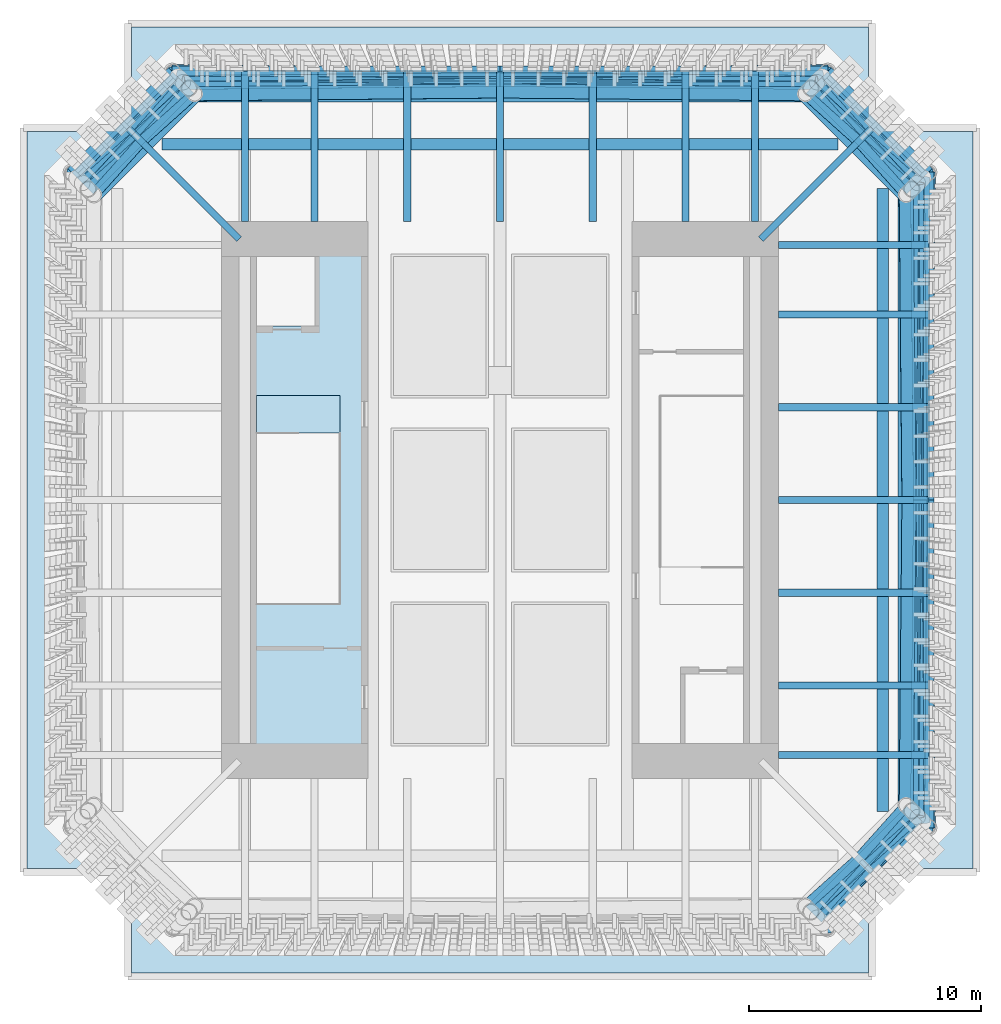
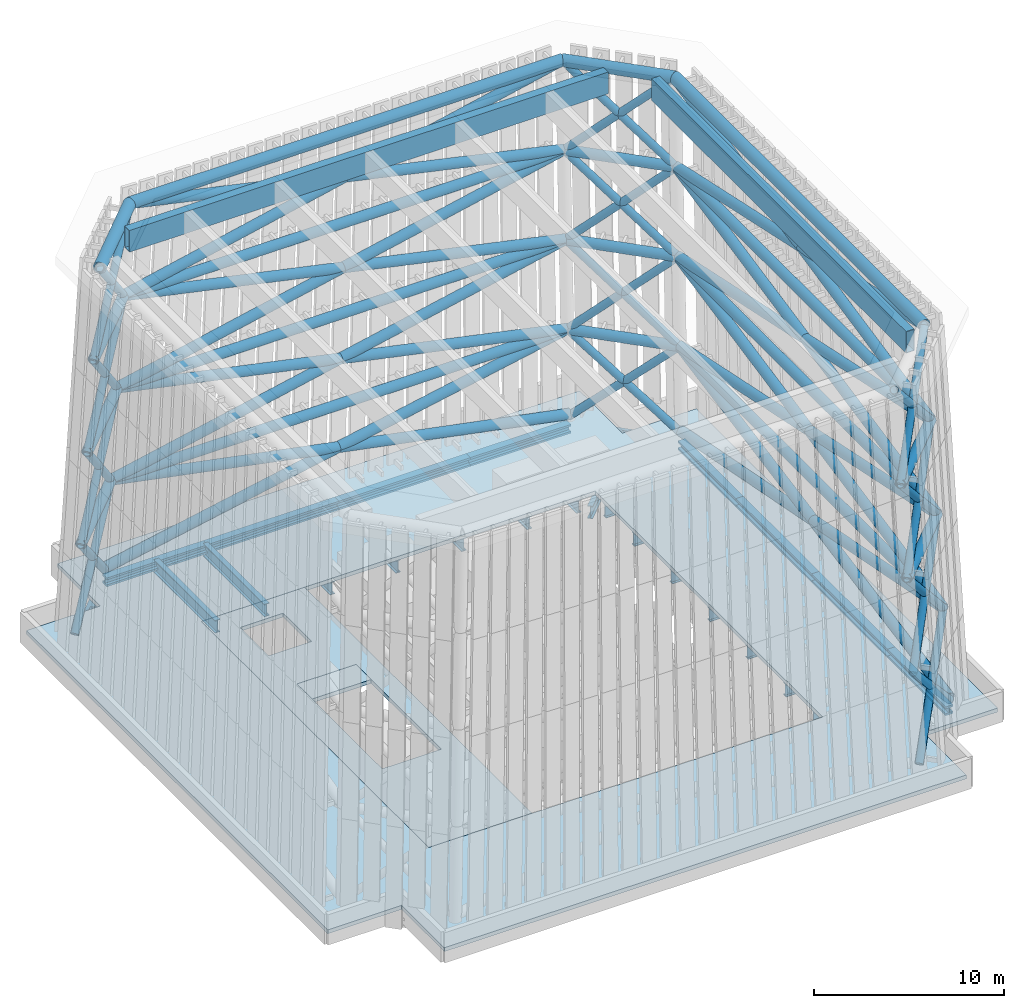
# One storey, part 2 of 13: 68 members, 18 beams, 3 slabs.
"""IFC4 building model written with IfcOpenShell, lengths in metres."""

from ifc_helpers import new_model, si_unit, direction, frame, origin, origin_2d, place, context, subcontext, project, spatial, polyline, hollow_rectangle, hollow_circle, i_section, outline, extrude, material, layer, layer_set, material_profile, profile_set, type_object, element, save


model = new_model("IFC4")

# Units and contexts
model_context = context("Model", 3, precision=1e-05, world=origin(), true_north=direction((0.0, 1.0)))
body_context = subcontext(model_context, "Body", "Model", "MODEL_VIEW")
ifc_project = project(units=[si_unit("LENGTHUNIT", "METRE"), si_unit("AREAUNIT", "SQUARE_METRE"), si_unit("VOLUMEUNIT", "CUBIC_METRE"), si_unit("PLANEANGLEUNIT", "RADIAN"), si_unit("MASSUNIT", "GRAM", prefix="KILO")], contexts=[model_context])

# Site, building, storey
site_placement = place(None, origin())
site = spatial("IfcSite", under=ifc_project, at=site_placement, CompositionType="ELEMENT")
building_placement = place(site_placement, origin())
building = spatial("IfcBuilding", under=site, at=building_placement, Name="Peilmerk Tower", CompositionType="ELEMENT")
storey_placement = place(building_placement, frame((0.0, 0.0, 307.800048828125)))
storey = spatial("IfcBuildingStorey", under=building, at=storey_placement, Name="RF", CompositionType="ELEMENT", Elevation=307.800048828125)

# Beams
ifc_material_1 = material(Name="Steel S460", Category="steel")
ifc_material_profile_1 = material_profile(ifc_material_1, i_section(OverallWidth=0.4541015625, OverallDepth=0.569091796875, WebThickness=0.077880859375, FlangeThickness=0.125, at=origin_2d()), Name="HD 400x1086")
ifc_profile_set_1 = profile_set([ifc_material_profile_1], Name="Steel S460")
beam_type_1 = type_object("IfcBeamType", Name="B17 HD 400x1086 edge beam", PredefinedType="SPANDREL", material=ifc_profile_set_1)
for number, where, z_axis, x_axis, name in (
    (1, (14.135498046875, 18.485595703125, -0.53466796875), (0.707106781187, -0.707106781187, 0.0), (0.707106781187, 0.707106781187, 0.0), "Notch beam RF"),
    (2, (-18.485595703125, 14.135498046875, -0.53466796875), (0.707106781187, 0.707106781187, 0.0), (-0.707106781187, 0.707106781187, 0.0), "Notch beam RF"),
):
    element("IfcBeam", number, at=place(storey_placement, frame(where, z_axis=z_axis, x_axis=x_axis)), inside=storey, type_object=beam_type_1, Name=name, PredefinedType="SPANDREL", context=body_context, shape_type="SweptSolid", body=[
        extrude(i_section(OverallWidth=0.4541015625, OverallDepth=0.569091796875, WebThickness=0.077880859375, FlangeThickness=0.125, at=origin_2d()), origin(), (0.0, 0.0, 1.0), 6.15185546875),
    ])
ifc_material_profile_2 = material_profile(ifc_material_1, i_section(OverallWidth=0.302978515625, OverallDepth=0.81396484375, WebThickness=0.02099609375, FlangeThickness=0.0400390625, at=origin_2d()), Name="HEM 800")
ifc_profile_set_2 = profile_set([ifc_material_profile_2], Name="Steel S460")
beam_type_2 = type_object("IfcBeamType", Name="B26 HEM 800 floor beam", PredefinedType="BEAM", material=ifc_profile_set_2)
for number, where, z_axis, x_axis, name in (
    (3, (11.0, 12.0, -0.656982421875), (0.0, 1.0, 0.0), (-1.0, 0.0, 0.0), "Floor beam RF"),
    (4, (8.0, 12.0, -0.656982421875), (0.0, 1.0, 0.0), (-1.0, 0.0, 0.0), "Floor beam RF"),
    (5, (4.0, 12.0, -0.656982421875), (0.0, 1.0, 0.0), (-1.0, 0.0, 0.0), "Floor beam RF"),
    (6, (0.0, 12.0, -0.656982421875), (0.0, 1.0, 0.0), (-1.0, 0.0, 0.0), "Floor beam RF"),
    (7, (-4.0, 12.0, -0.656982421875), (0.0, 1.0, 0.0), (-1.0, 0.0, 0.0), "Floor beam RF"),
    (8, (-8.0, 12.0, -0.656982421875), (0.0, 1.0, 0.0), (-1.0, 0.0, 0.0), "Floor beam RF"),
    (9, (-11.0, 12.0, -0.656982421875), (0.0, 1.0, 0.0), (-1.0, 0.0, 0.0), "Floor beam RF"),
    (10, (12.0, -11.0, -0.656982421875), (1.0, 0.0, 0.0), (0.0, 1.0, 0.0), "Floor beam RF"),
    (11, (12.0, -8.0, -0.656982421875), (1.0, 0.0, 0.0), (0.0, 1.0, 0.0), "Floor beam RF"),
    (12, (12.0, -4.0, -0.656982421875), (1.0, 0.0, 0.0), (0.0, 1.0, 0.0), "Floor beam RF"),
    (13, (12.0, 0.0, -0.656982421875), (1.0, 0.0, 0.0), (0.0, 1.0, 0.0), "Floor beam RF"),
    (14, (12.0, 4.0, -0.656982421875), (1.0, 0.0, 0.0), (0.0, 1.0, 0.0), "Floor beam RF"),
    (15, (12.0, 8.0, -0.656982421875), (1.0, 0.0, 0.0), (0.0, 1.0, 0.0), "Floor beam RF"),
    (16, (12.0, 11.0, -0.656982421875), (1.0, 0.0, 0.0), (0.0, 1.0, 0.0), "Floor beam RF"),
):
    element("IfcBeam", number, at=place(storey_placement, frame(where, z_axis=z_axis, x_axis=x_axis)), inside=storey, type_object=beam_type_2, Name=name, PredefinedType="BEAM", context=body_context, shape_type="SweptSolid", body=[
        extrude(i_section(OverallWidth=0.302978515625, OverallDepth=0.81396484375, WebThickness=0.02099609375, FlangeThickness=0.0400390625, at=origin_2d()), origin(), (0.0, 0.0, 1.0), 6.485595703125),
    ])
for number, where, z_axis, x_axis, name in (
    (17, (11.25, 11.25, -0.656982421875), (0.707106781187, 0.707106781187, 0.0), (-0.707106781187, 0.707106781187, 0.0), "Corner girder RF"),
    (18, (-11.25, 11.25, -0.656982421875), (-0.707106781187, 0.707106781187, 0.0), (-0.707106781187, -0.707106781187, 0.0), "Corner girder RF"),
):
    element("IfcBeam", number, at=place(storey_placement, frame(where, z_axis=z_axis, x_axis=x_axis)), inside=storey, type_object=beam_type_2, Name=name, PredefinedType="BEAM", context=body_context, shape_type="SweptSolid", body=[
        extrude(i_section(OverallWidth=0.302978515625, OverallDepth=0.81396484375, WebThickness=0.02099609375, FlangeThickness=0.0400390625, at=origin_2d()), origin(), (0.0, 0.0, 1.0), 7.15673828125),
    ])

# Members
ifc_material_profile_3 = material_profile(ifc_material_1, i_section(OverallWidth=0.4541015625, OverallDepth=0.569091796875, WebThickness=0.077880859375, FlangeThickness=0.125, at=origin_2d()), Name="HD 400x1086")
ifc_profile_set_3 = profile_set([ifc_material_profile_3], Name="Steel S460")
member_type_1 = type_object("IfcMemberType", Name="M1 HD 400x1086 belt truss chord", PredefinedType="CHORD", material=ifc_profile_set_3)
member_1_placement = place(storey_placement, frame((14.135498046875, 18.485595703125, -0.53466796875), z_axis=(-1.0, 0.0, 0.0), x_axis=(0.0, -1.0, 0.0)))
element("IfcMember", 19, at=member_1_placement, inside=storey, type_object=member_type_1, Name="Belt truss chord RF", PredefinedType="CHORD", context=body_context, shape_type="SweptSolid", body=[
    extrude(i_section(OverallWidth=0.4541015625, OverallDepth=0.569091796875, WebThickness=0.077880859375, FlangeThickness=0.125, at=origin_2d()), origin(), (0.0, 0.0, 1.0), 6.135498046875),
])
for number, where, z_axis, x_axis, name in (
    (20, (8.0, 18.485595703125, -0.53466796875), (-1.0, 0.0, 0.0), (0.0, -1.0, 0.0), "Belt truss chord RF"),
    (21, (0.0, 18.485595703125, -0.53466796875), (-1.0, 0.0, 0.0), (0.0, -1.0, 0.0), "Belt truss chord RF"),
):
    element("IfcMember", number, at=place(storey_placement, frame(where, z_axis=z_axis, x_axis=x_axis)), inside=storey, type_object=member_type_1, Name=name, PredefinedType="CHORD", context=body_context, shape_type="SweptSolid", body=[
        extrude(i_section(OverallWidth=0.4541015625, OverallDepth=0.569091796875, WebThickness=0.077880859375, FlangeThickness=0.125, at=origin_2d()), origin(), (0.0, 0.0, 1.0), 8.0),
    ])
for number, where, z_axis, x_axis, name in (
    (22, (-8.0, 18.485595703125, -0.53466796875), (-1.0, 0.0, 0.0), (0.0, -1.0, 0.0), "Belt truss chord RF"),
    (23, (18.485595703125, -14.135498046875, -0.53466796875), (0.0, 1.0, 0.0), (-1.0, 0.0, 0.0), "Belt truss chord RF"),
):
    element("IfcMember", number, at=place(storey_placement, frame(where, z_axis=z_axis, x_axis=x_axis)), inside=storey, type_object=member_type_1, Name=name, PredefinedType="CHORD", context=body_context, shape_type="SweptSolid", body=[
        extrude(i_section(OverallWidth=0.4541015625, OverallDepth=0.569091796875, WebThickness=0.077880859375, FlangeThickness=0.125, at=origin_2d()), origin(), (0.0, 0.0, 1.0), 6.135498046875),
    ])
for number, where, z_axis, x_axis, name in (
    (24, (18.485595703125, -8.0, -0.53466796875), (0.0, 1.0, 0.0), (-1.0, 0.0, 0.0), "Belt truss chord RF"),
    (25, (18.485595703125, 0.0, -0.53466796875), (0.0, 1.0, 0.0), (-1.0, 0.0, 0.0), "Belt truss chord RF"),
):
    element("IfcMember", number, at=place(storey_placement, frame(where, z_axis=z_axis, x_axis=x_axis)), inside=storey, type_object=member_type_1, Name=name, PredefinedType="CHORD", context=body_context, shape_type="SweptSolid", body=[
        extrude(i_section(OverallWidth=0.4541015625, OverallDepth=0.569091796875, WebThickness=0.077880859375, FlangeThickness=0.125, at=origin_2d()), origin(), (0.0, 0.0, 1.0), 8.0),
    ])
member_2_placement = place(storey_placement, frame((18.485595703125, 8.0, -0.53466796875), z_axis=(0.0, 1.0, 0.0), x_axis=(-1.0, 0.0, 0.0)))
element("IfcMember", 26, at=member_2_placement, inside=storey, type_object=member_type_1, Name="Belt truss chord RF", PredefinedType="CHORD", context=body_context, shape_type="SweptSolid", body=[
    extrude(i_section(OverallWidth=0.4541015625, OverallDepth=0.569091796875, WebThickness=0.077880859375, FlangeThickness=0.125, at=origin_2d()), origin(), (0.0, 0.0, 1.0), 6.135498046875),
])
ifc_material_2 = material(Name="Steel S355", Category="steel")
ifc_material_profile_4 = material_profile(ifc_material_2, hollow_circle(Radius=0.304931640625, WallThickness=0.030029296875, at=origin_2d()), Name="CHS 610x30")
ifc_profile_set_4 = profile_set([ifc_material_profile_4], Name="Steel S355")
member_type_2 = type_object("IfcMemberType", Name="M5 CHS 610x30 crown frame ring", PredefinedType="MEMBER", material=ifc_profile_set_4)
member_3_placement = place(storey_placement, frame((13.8935546875, 18.24365234375, 6.0), z_axis=(0.707106781187, -0.707106781187, 0.0), x_axis=(0.707106781187, 0.707106781187, 0.0)))
element("IfcMember", 27, at=member_3_placement, inside=storey, type_object=member_type_2, Name="Crown frame ring 1", PredefinedType="MEMBER", context=body_context, shape_type="SweptSolid", body=[
    extrude(hollow_circle(Radius=0.304931640625, WallThickness=0.030029296875, at=origin_2d()), origin(), (0.0, 0.0, 1.0), 6.15185546875),
])
member_4_placement = place(storey_placement, frame((18.24365234375, 13.8935546875, 6.0), z_axis=(0.0, -1.0, 0.0), x_axis=(1.0, 0.0, 0.0)))
element("IfcMember", 28, at=member_4_placement, inside=storey, type_object=member_type_2, Name="Crown frame ring 1", PredefinedType="MEMBER", context=body_context, shape_type="SweptSolid", body=[
    extrude(hollow_circle(Radius=0.304931640625, WallThickness=0.030029296875, at=origin_2d()), origin(), (0.0, 0.0, 1.0), 27.787109375),
])
member_5_placement = place(storey_placement, frame((-18.24365234375, 13.8935546875, 6.0), z_axis=(0.707106781187, 0.707106781187, 0.0), x_axis=(-0.707106781187, 0.707106781187, 0.0)))
element("IfcMember", 29, at=member_5_placement, inside=storey, type_object=member_type_2, Name="Crown frame ring 1", PredefinedType="MEMBER", context=body_context, shape_type="SweptSolid", body=[
    extrude(hollow_circle(Radius=0.304931640625, WallThickness=0.030029296875, at=origin_2d()), origin(), (0.0, 0.0, 1.0), 6.15185546875),
])
member_6_placement = place(storey_placement, frame((-13.8935546875, 18.24365234375, 6.0), z_axis=(1.0, 0.0, 0.0), x_axis=(0.0, 1.0, 0.0)))
element("IfcMember", 30, at=member_6_placement, inside=storey, type_object=member_type_2, Name="Crown frame ring 1", PredefinedType="MEMBER", context=body_context, shape_type="SweptSolid", body=[
    extrude(hollow_circle(Radius=0.304931640625, WallThickness=0.030029296875, at=origin_2d()), origin(), (0.0, 0.0, 1.0), 27.787109375),
])
member_7_placement = place(storey_placement, frame((13.651611328125, 18.001708984375, 12.0), z_axis=(0.707106781187, -0.707106781187, 0.0), x_axis=(0.707106781187, 0.707106781187, 0.0)))
element("IfcMember", 31, at=member_7_placement, inside=storey, type_object=member_type_2, Name="Crown frame ring 2", PredefinedType="MEMBER", context=body_context, shape_type="SweptSolid", body=[
    extrude(hollow_circle(Radius=0.304931640625, WallThickness=0.030029296875, at=origin_2d()), origin(), (0.0, 0.0, 1.0), 6.15185546875),
])
member_8_placement = place(storey_placement, frame((18.001708984375, 13.651611328125, 12.0), z_axis=(0.0, -1.0, 0.0), x_axis=(1.0, 0.0, 0.0)))
element("IfcMember", 32, at=member_8_placement, inside=storey, type_object=member_type_2, Name="Crown frame ring 2", PredefinedType="MEMBER", context=body_context, shape_type="SweptSolid", body=[
    extrude(hollow_circle(Radius=0.304931640625, WallThickness=0.030029296875, at=origin_2d()), origin(), (0.0, 0.0, 1.0), 27.30322265625),
])
for number, where, z_axis, x_axis, name in (
    (33, (18.001708984375, -13.651611328125, 12.0), (-0.707106781187, -0.707106781187, 0.0), (0.707106781187, -0.707106781187, 0.0), "Crown frame ring 2"),
    (34, (-18.001708984375, 13.651611328125, 12.0), (0.707106781187, 0.707106781187, 0.0), (-0.707106781187, 0.707106781187, 0.0), "Crown frame ring 2"),
):
    element("IfcMember", number, at=place(storey_placement, frame(where, z_axis=z_axis, x_axis=x_axis)), inside=storey, type_object=member_type_2, Name=name, PredefinedType="MEMBER", context=body_context, shape_type="SweptSolid", body=[
        extrude(hollow_circle(Radius=0.304931640625, WallThickness=0.030029296875, at=origin_2d()), origin(), (0.0, 0.0, 1.0), 6.15185546875),
    ])
member_9_placement = place(storey_placement, frame((-13.651611328125, 18.001708984375, 12.0), z_axis=(1.0, 0.0, 0.0), x_axis=(0.0, 1.0, 0.0)))
element("IfcMember", 35, at=member_9_placement, inside=storey, type_object=member_type_2, Name="Crown frame ring 2", PredefinedType="MEMBER", context=body_context, shape_type="SweptSolid", body=[
    extrude(hollow_circle(Radius=0.304931640625, WallThickness=0.030029296875, at=origin_2d()), origin(), (0.0, 0.0, 1.0), 27.30322265625),
])
member_10_placement = place(storey_placement, frame((13.40966796875, 17.759765625, 18.0), z_axis=(0.707106781187, -0.707106781187, 0.0), x_axis=(0.707106781187, 0.707106781187, 0.0)))
element("IfcMember", 36, at=member_10_placement, inside=storey, type_object=member_type_2, Name="Crown frame ring 3", PredefinedType="MEMBER", context=body_context, shape_type="SweptSolid", body=[
    extrude(hollow_circle(Radius=0.304931640625, WallThickness=0.030029296875, at=origin_2d()), origin(), (0.0, 0.0, 1.0), 6.15185546875),
])
member_11_placement = place(storey_placement, frame((17.759765625, 13.40966796875, 18.0), z_axis=(0.0, -1.0, 0.0), x_axis=(1.0, 0.0, 0.0)))
element("IfcMember", 37, at=member_11_placement, inside=storey, type_object=member_type_2, Name="Crown frame ring 3", PredefinedType="MEMBER", context=body_context, shape_type="SweptSolid", body=[
    extrude(hollow_circle(Radius=0.304931640625, WallThickness=0.030029296875, at=origin_2d()), origin(), (0.0, 0.0, 1.0), 26.8193359375),
])
for number, where, z_axis, x_axis, name in (
    (38, (17.759765625, -13.40966796875, 18.0), (-0.707106781187, -0.707106781187, 0.0), (0.707106781187, -0.707106781187, 0.0), "Crown frame ring 3"),
    (39, (-17.759765625, 13.40966796875, 18.0), (0.707106781187, 0.707106781187, 0.0), (-0.707106781187, 0.707106781187, 0.0), "Crown frame ring 3"),
):
    element("IfcMember", number, at=place(storey_placement, frame(where, z_axis=z_axis, x_axis=x_axis)), inside=storey, type_object=member_type_2, Name=name, PredefinedType="MEMBER", context=body_context, shape_type="SweptSolid", body=[
        extrude(hollow_circle(Radius=0.304931640625, WallThickness=0.030029296875, at=origin_2d()), origin(), (0.0, 0.0, 1.0), 6.15185546875),
    ])
member_12_placement = place(storey_placement, frame((-13.40966796875, 17.759765625, 18.0), z_axis=(1.0, 0.0, 0.0), x_axis=(0.0, 1.0, 0.0)))
element("IfcMember", 40, at=member_12_placement, inside=storey, type_object=member_type_2, Name="Crown frame ring 3", PredefinedType="MEMBER", context=body_context, shape_type="SweptSolid", body=[
    extrude(hollow_circle(Radius=0.304931640625, WallThickness=0.030029296875, at=origin_2d()), origin(), (0.0, 0.0, 1.0), 26.8193359375),
])
ifc_material_profile_5 = material_profile(ifc_material_2, hollow_circle(Radius=0.35546875, WallThickness=0.070068359375, at=origin_2d()), Name="CHS 711x70")
ifc_profile_set_5 = profile_set([ifc_material_profile_5], Name="Steel S355")
member_type_3 = type_object("IfcMemberType", Name="M6 CHS 711x70 crown frame ring", PredefinedType="MEMBER", material=ifc_profile_set_5)
member_13_placement = place(storey_placement, frame((13.167724609375, 17.517822265625, 24.0), z_axis=(0.707106781187, -0.707106781187, 0.0), x_axis=(0.707106781187, 0.707106781187, 0.0)))
element("IfcMember", 41, at=member_13_placement, inside=storey, type_object=member_type_3, Name="Crown frame ring 4", PredefinedType="MEMBER", context=body_context, shape_type="SweptSolid", body=[
    extrude(hollow_circle(Radius=0.35546875, WallThickness=0.070068359375, at=origin_2d()), origin(), (0.0, 0.0, 1.0), 6.15185546875),
])
member_14_placement = place(storey_placement, frame((17.517822265625, 13.167724609375, 24.0), z_axis=(0.0, -1.0, 0.0), x_axis=(1.0, 0.0, 0.0)))
element("IfcMember", 42, at=member_14_placement, inside=storey, type_object=member_type_3, Name="Crown frame ring 4", PredefinedType="MEMBER", context=body_context, shape_type="SweptSolid", body=[
    extrude(hollow_circle(Radius=0.35546875, WallThickness=0.070068359375, at=origin_2d()), origin(), (0.0, 0.0, 1.0), 26.33544921875),
])
member_15_placement = place(storey_placement, frame((-17.517822265625, 13.167724609375, 24.0), z_axis=(0.707106781187, 0.707106781187, 0.0), x_axis=(-0.707106781187, 0.707106781187, 0.0)))
element("IfcMember", 43, at=member_15_placement, inside=storey, type_object=member_type_3, Name="Crown frame ring 4", PredefinedType="MEMBER", context=body_context, shape_type="SweptSolid", body=[
    extrude(hollow_circle(Radius=0.35546875, WallThickness=0.070068359375, at=origin_2d()), origin(), (0.0, 0.0, 1.0), 6.15185546875),
])
member_16_placement = place(storey_placement, frame((-13.167724609375, 17.517822265625, 24.0), z_axis=(1.0, 0.0, 0.0), x_axis=(0.0, 1.0, 0.0)))
element("IfcMember", 44, at=member_16_placement, inside=storey, type_object=member_type_3, Name="Crown frame ring 4", PredefinedType="MEMBER", context=body_context, shape_type="SweptSolid", body=[
    extrude(hollow_circle(Radius=0.35546875, WallThickness=0.070068359375, at=origin_2d()), origin(), (0.0, 0.0, 1.0), 26.33544921875),
])
ifc_material_profile_6 = material_profile(ifc_material_2, hollow_circle(Radius=0.228515625, WallThickness=0.02001953125, at=origin_2d()), Name="CHS 457x20")
ifc_profile_set_6 = profile_set([ifc_material_profile_6], Name="Steel S355")
member_type_4 = type_object("IfcMemberType", Name="M7 CHS 457x20 crown frame corner brace", PredefinedType="BRACE", material=ifc_profile_set_6)
for number, where, z_axis, x_axis, name in (
    (45, (14.12890625, 18.47900390625, 0.16357421875), (0.484855610334, -0.5403202844, 0.687727436848), (0.744274607847, 0.667873721683, 0.0), "Crown frame corner brace 1"),
    (46, (18.47900390625, 14.12890625, 0.16357421875), (-0.5403202844, 0.484855610334, 0.687727436848), (-0.667873721683, -0.744274607847, 0.0), "Crown frame corner brace 1"),
    (47, (18.47900390625, -14.12890625, 0.16357421875), (-0.5403202844, -0.484855610334, 0.687727436848), (0.667873721683, -0.744274607847, 0.0), "Crown frame corner brace 1"),
    (48, (14.12890625, -18.47900390625, 0.16357421875), (0.484855610334, 0.5403202844, 0.687727436848), (-0.744274607847, 0.667873721683, 0.0), "Crown frame corner brace 1"),
    (49, (-18.47900390625, 14.12890625, 0.16357421875), (0.5403202844, 0.484855610334, 0.687727436848), (-0.667873721683, 0.744274607847, 0.0), "Crown frame corner brace 1"),
    (50, (-14.12890625, 18.47900390625, 0.16357421875), (-0.484855610334, -0.5403202844, 0.687727436848), (0.744274607847, -0.667873721683, 0.0), "Crown frame corner brace 1"),
):
    element("IfcMember", number, at=place(storey_placement, frame(where, z_axis=z_axis, x_axis=x_axis)), inside=storey, type_object=member_type_4, Name=name, PredefinedType="BRACE", context=body_context, shape_type="SweptSolid", body=[
        extrude(hollow_circle(Radius=0.228515625, WallThickness=0.02001953125, at=origin_2d()), origin(), (0.0, 0.0, 1.0), 8.486572265625),
    ])
for number, where, z_axis, x_axis, name in (
    (51, (13.8935546875, 18.24365234375, 6.0), (0.47768017794, -0.53394464057, 0.697656626436), (0.745282764604, 0.666748528895, 0.0), "Crown frame corner brace 2"),
    (52, (18.24365234375, 13.8935546875, 6.0), (-0.53394464057, 0.47768017794, 0.697656626436), (-0.666748528895, -0.745282764604, 0.0), "Crown frame corner brace 2"),
    (53, (18.24365234375, -13.8935546875, 6.0), (-0.53394464057, -0.47768017794, 0.697656626436), (0.666748528895, -0.745282764604, 0.0), "Crown frame corner brace 2"),
    (54, (13.8935546875, -18.24365234375, 6.0), (0.47768017794, 0.53394464057, 0.697656626436), (-0.745282764604, 0.666748528895, 0.0), "Crown frame corner brace 2"),
    (55, (-18.24365234375, 13.8935546875, 6.0), (0.53394464057, 0.47768017794, 0.697656626436), (-0.666748528895, 0.745282764604, 0.0), "Crown frame corner brace 2"),
    (56, (-13.8935546875, 18.24365234375, 6.0), (-0.47768017794, -0.53394464057, 0.697656626436), (0.745282764604, -0.666748528895, 0.0), "Crown frame corner brace 2"),
    (57, (13.651611328125, 18.001708984375, 12.0), (0.47768017794, -0.53394464057, 0.697656626436), (0.745282764604, 0.666748528895, 0.0), "Crown frame corner brace 3"),
    (58, (18.001708984375, 13.651611328125, 12.0), (-0.53394464057, 0.47768017794, 0.697656626436), (-0.666748528895, -0.745282764604, 0.0), "Crown frame corner brace 3"),
    (59, (18.001708984375, -13.651611328125, 12.0), (-0.53394464057, -0.47768017794, 0.697656626436), (0.666748528895, -0.745282764604, 0.0), "Crown frame corner brace 3"),
    (60, (13.651611328125, -18.001708984375, 12.0), (0.47768017794, 0.53394464057, 0.697656626436), (-0.745282764604, 0.666748528895, 0.0), "Crown frame corner brace 3"),
    (61, (-18.001708984375, 13.651611328125, 12.0), (0.53394464057, 0.47768017794, 0.697656626436), (-0.666748528895, 0.745282764604, 0.0), "Crown frame corner brace 3"),
    (62, (-13.651611328125, 18.001708984375, 12.0), (-0.47768017794, -0.53394464057, 0.697656626436), (0.745282764604, -0.666748528895, 0.0), "Crown frame corner brace 3"),
    (63, (13.40966796875, 17.759765625, 18.0), (0.47768017794, -0.53394464057, 0.697656626436), (0.745282764604, 0.666748528895, 0.0), "Crown frame corner brace 4"),
    (64, (17.759765625, 13.40966796875, 18.0), (-0.53394464057, 0.47768017794, 0.697656626436), (-0.666748528895, -0.745282764604, 0.0), "Crown frame corner brace 4"),
    (65, (17.759765625, -13.40966796875, 18.0), (-0.53394464057, -0.47768017794, 0.697656626436), (0.666748528895, -0.745282764604, 0.0), "Crown frame corner brace 4"),
    (66, (13.40966796875, -17.759765625, 18.0), (0.47768017794, 0.53394464057, 0.697656626436), (-0.745282764604, 0.666748528895, 0.0), "Crown frame corner brace 4"),
    (67, (-17.759765625, 13.40966796875, 18.0), (0.53394464057, 0.47768017794, 0.697656626436), (-0.666748528895, 0.745282764604, 0.0), "Crown frame corner brace 4"),
    (68, (-13.40966796875, 17.759765625, 18.0), (-0.47768017794, -0.53394464057, 0.697656626436), (0.745282764604, -0.666748528895, 0.0), "Crown frame corner brace 4"),
):
    element("IfcMember", number, at=place(storey_placement, frame(where, z_axis=z_axis, x_axis=x_axis)), inside=storey, type_object=member_type_4, Name=name, PredefinedType="BRACE", context=body_context, shape_type="SweptSolid", body=[
        extrude(hollow_circle(Radius=0.228515625, WallThickness=0.02001953125, at=origin_2d()), origin(), (0.0, 0.0, 1.0), 8.60009765625),
    ])
ifc_material_profile_7 = material_profile(ifc_material_2, hollow_circle(Radius=0.304931640625, WallThickness=0.030029296875, at=origin_2d()), Name="CHS 610x30")
ifc_profile_set_7 = profile_set([ifc_material_profile_7], Name="Steel S355")
member_type_5 = type_object("IfcMemberType", Name="M8 CHS 610x30 crown frame brace", PredefinedType="BRACE", material=ifc_profile_set_7)
for number, where, z_axis, x_axis, name in (
    (69, (14.12353515625, 18.473388671875, 0.298095703125), (-0.979881024768, -0.0080348912, 0.199420705602), (0.008199588405, -0.99996638281, 0.0), "Crown frame brace 1"),
    (70, (-14.12353515625, 18.473388671875, 0.298095703125), (0.979881024768, -0.0080348912, 0.199420705602), (0.008199588405, 0.99996638281, 0.0), "Crown frame brace 1"),
    (71, (18.473388671875, 14.12353515625, 0.298095703125), (-0.0080348912, -0.979881024768, 0.199420705602), (0.99996638281, -0.008199588405, 0.0), "Crown frame brace 1"),
    (72, (18.473388671875, -14.12353515625, 0.298095703125), (-0.0080348912, 0.979881024768, 0.199420705602), (-0.99996638281, -0.008199588405, 0.0), "Crown frame brace 1"),
):
    element("IfcMember", number, at=place(storey_placement, frame(where, z_axis=z_axis, x_axis=x_axis)), inside=storey, type_object=member_type_5, Name=name, PredefinedType="BRACE", context=body_context, shape_type="SweptSolid", body=[
        extrude(hollow_circle(Radius=0.304931640625, WallThickness=0.030029296875, at=origin_2d()), origin(), (0.0, 0.0, 1.0), 28.59228515625),
    ])
for number, where, z_axis, x_axis, name in (
    (73, (13.8935546875, 18.24365234375, 6.0), (-0.977052524046, -0.008581954809, 0.212825551349), (0.008783175487, -0.99996142717, 0.0), "Crown frame brace 2"),
    (74, (-13.8935546875, 18.24365234375, 6.0), (0.977052524046, -0.008581954809, 0.212825551349), (0.008783175487, 0.99996142717, 0.0), "Crown frame brace 2"),
    (75, (18.24365234375, 13.8935546875, 6.0), (-0.008581954809, -0.977052524046, 0.212825551349), (0.99996142717, -0.008783175487, 0.0), "Crown frame brace 2"),
    (76, (18.24365234375, -13.8935546875, 6.0), (-0.008581954809, 0.977052524046, 0.212825551349), (-0.99996142717, -0.008783175487, 0.0), "Crown frame brace 2"),
):
    element("IfcMember", number, at=place(storey_placement, frame(where, z_axis=z_axis, x_axis=x_axis)), inside=storey, type_object=member_type_5, Name=name, PredefinedType="BRACE", context=body_context, shape_type="SweptSolid", body=[
        extrude(hollow_circle(Radius=0.304931640625, WallThickness=0.030029296875, at=origin_2d()), origin(), (0.0, 0.0, 1.0), 28.192138671875),
    ])
for number, where, z_axis, x_axis, name in (
    (77, (13.651611328125, 18.001708984375, 12.0), (-0.976253795497, -0.008728268915, 0.216454023061), (0.008940216298, -0.999960035468, 0.0), "Crown frame brace 3"),
    (78, (-13.651611328125, 18.001708984375, 12.0), (0.976253795497, -0.008728268915, 0.216454023061), (0.008940216298, 0.999960035468, 0.0), "Crown frame brace 3"),
    (79, (18.001708984375, 13.651611328125, 12.0), (-0.008728268915, -0.976253795497, 0.216454023061), (0.999960035468, -0.008940216298, 0.0), "Crown frame brace 3"),
    (80, (18.001708984375, -13.651611328125, 12.0), (-0.008728268915, 0.976253795497, 0.216454023061), (-0.999960035468, -0.008940216298, 0.0), "Crown frame brace 3"),
):
    element("IfcMember", number, at=place(storey_placement, frame(where, z_axis=z_axis, x_axis=x_axis)), inside=storey, type_object=member_type_5, Name=name, PredefinedType="BRACE", context=body_context, shape_type="SweptSolid", body=[
        extrude(hollow_circle(Radius=0.304931640625, WallThickness=0.030029296875, at=origin_2d()), origin(), (0.0, 0.0, 1.0), 27.719482421875),
    ])
for number, where, z_axis, x_axis, name in (
    (81, (13.40966796875, 17.759765625, 18.0), (-0.975413164478, -0.008879529363, 0.220205160069), (0.009102974802, -0.999958567067, 0.0), "Crown frame brace 4"),
    (82, (-13.40966796875, 17.759765625, 18.0), (0.975413164478, -0.008879529363, 0.220205160069), (0.009102974802, 0.999958567067, 0.0), "Crown frame brace 4"),
    (83, (17.759765625, 13.40966796875, 18.0), (-0.008879529363, -0.975413164478, 0.220205160069), (0.999958567067, -0.009102974802, 0.0), "Crown frame brace 4"),
    (84, (17.759765625, -13.40966796875, 18.0), (-0.008879529363, 0.975413164478, 0.220205160069), (-0.999958567067, -0.009102974802, 0.0), "Crown frame brace 4"),
):
    element("IfcMember", number, at=place(storey_placement, frame(where, z_axis=z_axis, x_axis=x_axis)), inside=storey, type_object=member_type_5, Name=name, PredefinedType="BRACE", context=body_context, shape_type="SweptSolid", body=[
        extrude(hollow_circle(Radius=0.304931640625, WallThickness=0.030029296875, at=origin_2d()), origin(), (0.0, 0.0, 1.0), 27.247314453125),
    ])
ifc_material_profile_8 = material_profile(ifc_material_2, hollow_rectangle(XDim=0.5, YDim=1.39990234375, WallThickness=0.030029296875, at=origin_2d()), Name="BOX 1400x500x30")
ifc_profile_set_8 = profile_set([ifc_material_profile_8], Name="Steel S355")
member_type_6 = type_object("IfcMemberType", Name="M9 BOX 1400x500x30 crown roof girder", PredefinedType="MEMBER", material=ifc_profile_set_8)
member_17_placement = place(storey_placement, frame((-14.582763671875, 15.35009765625, 23.5), z_axis=(1.0, 0.0, 0.0), x_axis=(0.0, 1.0, 0.0)))
element("IfcMember", 85, at=member_17_placement, inside=storey, type_object=member_type_6, Name="Crown roof girder primary N", PredefinedType="MEMBER", context=body_context, shape_type="SweptSolid", body=[
    extrude(hollow_rectangle(XDim=0.5, YDim=1.39990234375, WallThickness=0.030029296875, at=origin_2d()), origin(), (0.0, 0.0, 1.0), 29.16552734375),
])
member_18_placement = place(storey_placement, frame((16.5, -13.4326171875, 23.5), z_axis=(0.0, 1.0, 0.0), x_axis=(-1.0, 0.0, 0.0)))
element("IfcMember", 86, at=member_18_placement, inside=storey, type_object=member_type_6, Name="Crown roof girder edge E", PredefinedType="MEMBER", context=body_context, shape_type="SweptSolid", body=[
    extrude(hollow_rectangle(XDim=0.5, YDim=1.39990234375, WallThickness=0.030029296875, at=origin_2d()), origin(), (0.0, 0.0, 1.0), 26.865234375),
])

# Slabs
ifc_material_3 = material(Name="Concrete C55/67", Category="concrete")
ifc_layer_1 = layer(ifc_material_3, 0.25)
ifc_layer_set_1 = layer_set([ifc_layer_1], Name="Concrete C55/67")
slab_type_1 = type_object("IfcSlabType", Name="CS250 250 core floor slab", PredefinedType="FLOOR", material=ifc_layer_set_1)
slab_1_placement = place(storey_placement, frame((0.0, 0.0, -0.25)))
element("IfcSlab", 87, at=slab_1_placement, inside=storey, type_object=slab_type_1, Name="Stair 1 head-house floor slab", PredefinedType="FLOOR", context=body_context, shape_type="SweptSolid", body=[
    extrude(outline(polyline([(-12.0, 12.0), (-12.0, -12.0), (-5.699951171875, -12.0), (-5.699951171875, 12.0), (-12.0, 12.0)]), holes=[polyline([(-10.5, 4.5), (-6.89990234375, 4.5), (-6.89990234375, -4.5), (-10.5, -4.5), (-10.5, 4.5)]), polyline([(-7.875, 10.5), (-7.875, 7.5), (-10.5, 7.5), (-10.5, 10.5), (-7.875, 10.5)])]), origin(), (0.0, 0.0, 1.0), 0.25),
])
ifc_material_4 = material(Name="Concrete C35/45", Category="concrete")
ifc_layer_2 = layer(ifc_material_4, 0.25)
ifc_layer_set_2 = layer_set([ifc_layer_2], Name="Concrete C35/45")
slab_type_2 = type_object("IfcSlabType", Name="RS250 250 roof slab", PredefinedType="ROOF", material=ifc_layer_set_2)
slab_2_placement = place(storey_placement, frame((0.0, 0.0, -0.25)))
element("IfcSlab", 88, at=slab_2_placement, inside=storey, type_object=slab_type_2, Name="Roof slab RF", PredefinedType="ROOF", context=body_context, shape_type="SweptSolid", body=[
    extrude(outline(polyline([(-15.89990234375, -20.39990234375), (15.89990234375, -20.39990234375), (15.89990234375, -15.89990234375), (20.39990234375, -15.89990234375), (20.39990234375, 15.89990234375), (15.89990234375, 15.89990234375), (15.89990234375, 20.39990234375), (-15.89990234375, 20.39990234375), (-15.89990234375, 15.89990234375), (-20.39990234375, 15.89990234375), (-20.39990234375, -15.89990234375), (-15.89990234375, -15.89990234375), (-15.89990234375, -20.39990234375)]), holes=[polyline([(12.0, 12.0), (12.0, -12.0), (-12.0, -12.0), (-12.0, 12.0), (12.0, 12.0)])]), origin(), (0.0, 0.0, 1.0), 0.25),
])
ifc_layer_3 = layer(ifc_material_4, 0.25)
ifc_layer_set_3 = layer_set([ifc_layer_3], Name="Concrete C35/45")
slab_type_3 = type_object("IfcSlabType", Name="SL2 250 concrete floor landing", PredefinedType="LANDING", material=ifc_layer_set_3)
slab_3_placement = place(storey_placement, frame((0.0, 0.0, -0.25)))
element("IfcSlab", 89, at=slab_3_placement, inside=storey, type_object=slab_type_3, Name="ST1 top landing RF", PredefinedType="LANDING", context=body_context, shape_type="SweptSolid", body=[
    extrude(outline(polyline([(-10.5, 2.89990234375), (-6.89990234375, 2.89990234375), (-6.89990234375, 4.5), (-10.5, 4.5), (-10.5, 2.89990234375)])), origin(), (0.0, 0.0, 1.0), 0.25),
])

save(model, "model.ifc")
